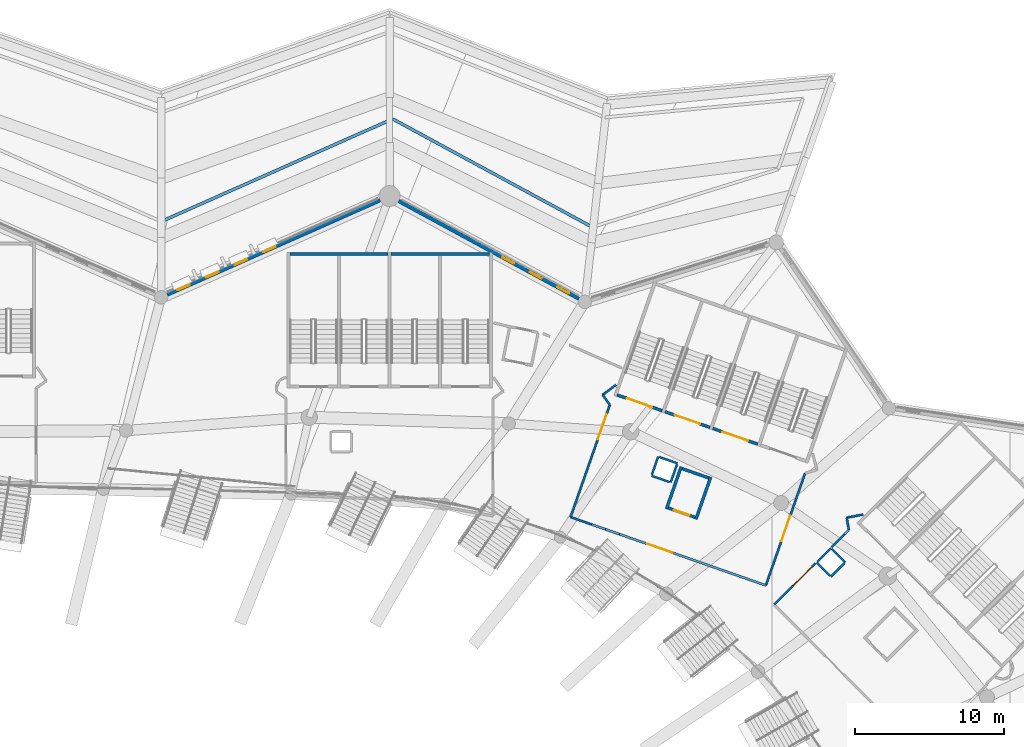
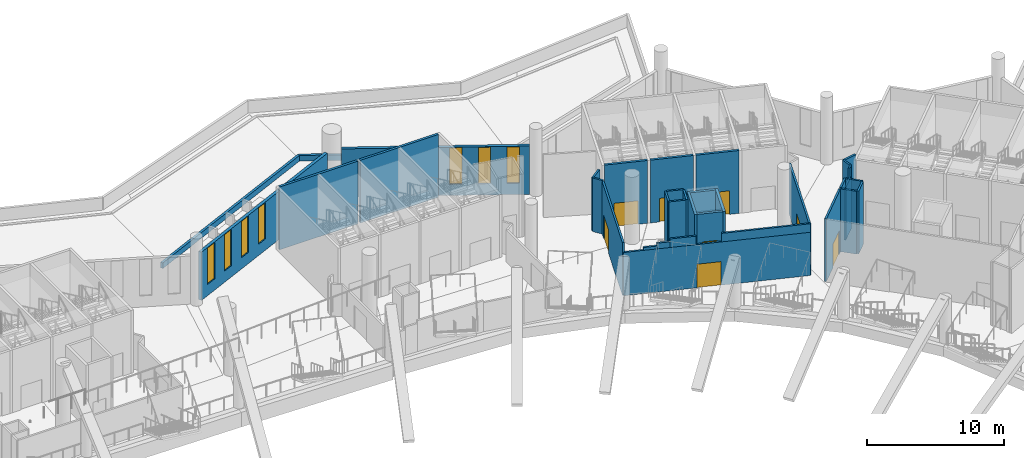
# One storey, part 76 of 173: 35 walls, 8 doors, 7 windows, 15 openings.
"""IFC4 building model written with IfcOpenShell, lengths in metres."""

from ifc_helpers import new_model, si_unit, direction, frame, frame_2d, origin, place, context, subcontext, project, spatial, rectangle, extrude, material, layer, layer_set, type_object, element, fill, save


model = new_model("IFC4")

# Units and contexts
model_context = context("Model", 3, precision=1e-05, world=origin(), true_north=direction((0.0, 1.0)))
body_context = subcontext(model_context, "Body", "Model", "MODEL_VIEW")
ifc_project = project(units=[si_unit("LENGTHUNIT", "METRE"), si_unit("AREAUNIT", "SQUARE_METRE"), si_unit("VOLUMEUNIT", "CUBIC_METRE"), si_unit("PLANEANGLEUNIT", "RADIAN"), si_unit("MASSUNIT", "GRAM", prefix="KILO")], contexts=[model_context])

# Site, building, storey
site_placement = place(None, origin())
site = spatial("IfcSite", under=ifc_project, at=site_placement, CompositionType="ELEMENT")
building_placement = place(site_placement, origin())
building = spatial("IfcBuilding", under=site, at=building_placement, Name="Meseta Stadium", CompositionType="ELEMENT")
storey_placement = place(building_placement, frame((0.0, 0.0, 18.0)))
storey = spatial("IfcBuildingStorey", under=building, at=storey_placement, Name="L03", CompositionType="ELEMENT", Elevation=18.0)

# Wall, opening, door
ifc_material_1 = material(Name="Concrete C40/50", Category="concrete")
ifc_layer_1 = layer(ifc_material_1, 0.199951171875)
ifc_layer_set_1 = layer_set([ifc_layer_1], Name="Core shaft wall 200")
wall_type_1 = type_object("IfcWallType", Name="Core shaft wall 200", PredefinedType="SHEAR", material=ifc_layer_set_1)
wall_1_placement = place(storey_placement, frame((63.052490234375, 88.741943359375, 0.0), z_axis=(0.0, 0.0, 1.0), x_axis=(-0.943878576031, 0.330292648585, 0.0)))
wall_1 = element("IfcWall", 1, at=wall_1_placement, inside=storey, type_object=wall_type_1, Name="Core 08 L03 stair A2 inner end wall", PredefinedType="SHEAR", context=body_context, shape_type="SweptSolid", body=[
    extrude(rectangle(XDim=3.199951171875, YDim=0.199951171875, at=frame_2d((1.60009765625, 0.0))), origin(), (0.0, 0.0, 1.0), 5.60009765625),
])
opening_1_placement = place(wall_1_placement, frame((0.699951171875, 0.0, 0.0)))
opening_1 = element("IfcOpeningElement", 2, at=opening_1_placement, cuts=wall_1, Name="Opening D1422", PredefinedType="OPENING", context=body_context, shape_type="SweptSolid", body=[
    extrude(rectangle(XDim=1.800048828125, YDim=2.10009765625, at=frame_2d((0.89990234375, 1.050048828125))), frame((0.0, 0.10986328125, 0.0), z_axis=(0.0, -1.0, 0.0), x_axis=(1.0, 0.0, 0.0)), (0.0, 0.0, 1.0), 0.219970703125),
])
ifc_material_2 = material(Name="Steel", Category="steel")
door_type_1 = type_object("IfcDoorType", Name="Stair door 1800x2100", OperationType="DOUBLE_DOOR_SINGLE_SWING", PredefinedType="DOOR", material=ifc_material_2)
door_1_placement = place(opening_1_placement, origin())
door_1 = element("IfcDoor", 3, at=door_1_placement, inside=storey, type_object=door_type_1, Name="Stair A2 door 08 L03", OperationType="DOUBLE_DOOR_SINGLE_SWING", OverallHeight=2.10009765625, OverallWidth=1.800048828125, PredefinedType="DOOR", context=body_context, shape_type="SweptSolid", body=[
    extrude(rectangle(XDim=1.800048828125, YDim=2.10009765625, at=frame_2d((0.89990234375, 1.050048828125))), frame((0.0, 0.02490234375, 0.0), z_axis=(0.0, -1.0, 0.0), x_axis=(1.0, 0.0, 0.0)), (0.0, 0.0, 1.0), 0.050048828125),
])
fill(opening_1, door_1)

wall_2_placement = place(storey_placement, frame((59.843505859375, 89.864990234375, 0.0), z_axis=(0.0, 0.0, 1.0), x_axis=(-0.943886898693, 0.330268863922, 0.0)))
wall_2 = element("IfcWall", 4, at=wall_2_placement, inside=storey, type_object=wall_type_1, Name="Core 08 L03 stair B1 inner end wall", PredefinedType="SHEAR", context=body_context, shape_type="SweptSolid", body=[
    extrude(rectangle(XDim=3.2001953125, YDim=0.199951171875, at=frame_2d((1.60009765625, 0.0))), origin(), (0.0, 0.0, 1.0), 5.60009765625),
])
opening_2_placement = place(wall_2_placement, frame((0.699951171875, 0.0, 0.0)))
opening_2 = element("IfcOpeningElement", 5, at=opening_2_placement, cuts=wall_2, Name="Opening D1420", PredefinedType="OPENING", context=body_context, shape_type="SweptSolid", body=[
    extrude(rectangle(XDim=1.800048828125, YDim=2.10009765625, at=frame_2d((0.89990234375, 1.050048828125))), frame((0.0, 0.10986328125, 0.0), z_axis=(0.0, -1.0, 0.0), x_axis=(1.0, 0.0, 0.0)), (0.0, 0.0, 1.0), 0.219970703125),
])
door_2_placement = place(opening_2_placement, origin())
door_2 = element("IfcDoor", 6, at=door_2_placement, inside=storey, type_object=door_type_1, Name="Stair B1 door 08 L03", OperationType="DOUBLE_DOOR_SINGLE_SWING", OverallHeight=2.10009765625, OverallWidth=1.800048828125, PredefinedType="DOOR", context=body_context, shape_type="SweptSolid", body=[
    extrude(rectangle(XDim=1.800048828125, YDim=2.10009765625, at=frame_2d((0.89990234375, 1.050048828125))), frame((0.0, 0.02490234375, 0.0), z_axis=(0.0, -1.0, 0.0), x_axis=(1.0, 0.0, 0.0)), (0.0, 0.0, 1.0), 0.050048828125),
])
fill(opening_2, door_2)

wall_3_placement = place(storey_placement, frame((56.63427734375, 90.98779296875, 0.0), z_axis=(0.0, 0.0, 1.0), x_axis=(-0.943886898693, 0.330268863922, 0.0)))
wall_3 = element("IfcWall", 7, at=wall_3_placement, inside=storey, type_object=wall_type_1, Name="Core 08 L03 stair B2 inner end wall", PredefinedType="SHEAR", context=body_context, shape_type="SweptSolid", body=[
    extrude(rectangle(XDim=3.2001953125, YDim=0.199951171875, at=frame_2d((1.60009765625, 0.0))), origin(), (0.0, 0.0, 1.0), 5.60009765625),
])
opening_3_placement = place(wall_3_placement, frame((0.699951171875, 0.0, 0.0)))
opening_3 = element("IfcOpeningElement", 8, at=opening_3_placement, cuts=wall_3, Name="Opening D1416", PredefinedType="OPENING", context=body_context, shape_type="SweptSolid", body=[
    extrude(rectangle(XDim=1.800048828125, YDim=2.10009765625, at=frame_2d((0.89990234375, 1.050048828125))), frame((0.0, 0.10986328125, 0.0), z_axis=(0.0, -1.0, 0.0), x_axis=(1.0, 0.0, 0.0)), (0.0, 0.0, 1.0), 0.219970703125),
])
door_3_placement = place(opening_3_placement, origin())
door_3 = element("IfcDoor", 9, at=door_3_placement, inside=storey, type_object=door_type_1, Name="Stair B2 door 08 L03", OperationType="DOUBLE_DOOR_SINGLE_SWING", OverallHeight=2.10009765625, OverallWidth=1.800048828125, PredefinedType="DOOR", context=body_context, shape_type="SweptSolid", body=[
    extrude(rectangle(XDim=1.800048828125, YDim=2.10009765625, at=frame_2d((0.89990234375, 1.050048828125))), frame((0.0, 0.02490234375, 0.0), z_axis=(0.0, -1.0, 0.0), x_axis=(1.0, 0.0, 0.0)), (0.0, 0.0, 1.0), 0.050048828125),
])
fill(opening_3, door_3)

# Walls
for number, where, z_axis, x_axis, name in (
    (10, (59.896240234375, 86.53369140625, 0.0), (0.0, 0.0, 1.0), (-0.330328674497, -0.943865968666, 0.0), "Core 08 L03 lift shaft wall left"),
    (11, (57.9140625, 87.227294921875, 0.0), (0.0, 0.0, 1.0), (-0.330328674497, -0.943865968666, 0.0), "Core 08 L03 lift shaft wall right"),
):
    element("IfcWall", number, at=place(storey_placement, frame(where, z_axis=z_axis, x_axis=x_axis)), inside=storey, type_object=wall_type_1, Name=name, PredefinedType="SHEAR", context=body_context, shape_type="SweptSolid", body=[
        extrude(rectangle(XDim=3.0, YDim=0.199951171875, at=frame_2d((1.5, 0.0))), origin(), (0.0, 0.0, 1.0), 4.60009765625),
    ])
wall_4_placement = place(storey_placement, frame((59.768798828125, 86.472412109375, 0.0), z_axis=(0.0, 0.0, 1.0), x_axis=(-0.943862362559, 0.330338978239, 0.0)))
element("IfcWall", 12, at=wall_4_placement, inside=storey, type_object=wall_type_1, Name="Core 08 L03 lift shaft back wall", PredefinedType="SHEAR", context=body_context, shape_type="SweptSolid", body=[
    extrude(rectangle(XDim=1.900146484375, YDim=0.199951171875, at=frame_2d((0.9501953125, 0.0))), origin(), (0.0, 0.0, 1.0), 4.60009765625),
])

# Wall, opening, door
wall_5_placement = place(storey_placement, frame((58.843994140625, 83.82958984375, 0.0), z_axis=(0.0, 0.0, 1.0), x_axis=(-0.943902418729, 0.330224505327, 0.0)))
wall_5 = element("IfcWall", 13, at=wall_5_placement, inside=storey, type_object=wall_type_1, Name="Core 08 L03 lift shaft front wall", PredefinedType="SHEAR", context=body_context, shape_type="SweptSolid", body=[
    extrude(rectangle(XDim=1.900146484375, YDim=0.199951171875, at=frame_2d((0.9501953125, 0.0))), origin(), (0.0, 0.0, 1.0), 4.60009765625),
])
opening_4_placement = place(wall_5_placement, frame((0.39990234375, 0.0, 0.0)))
opening_4 = element("IfcOpeningElement", 14, at=opening_4_placement, cuts=wall_5, Name="Opening LD46", PredefinedType="OPENING", context=body_context, shape_type="SweptSolid", body=[
    extrude(rectangle(XDim=1.10009765625, YDim=2.10009765625, at=frame_2d((0.550048828125, 1.050048828125))), frame((0.0, 0.10986328125, 0.0), z_axis=(0.0, -1.0, 0.0), x_axis=(1.0, 0.0, 0.0)), (0.0, 0.0, 1.0), 0.219970703125),
])
ifc_material_3 = material(Name="Steel", Category="steel")
door_type_2 = type_object("IfcDoorType", Name="Lift landing door 1100x2100", OperationType="SLIDING_TO_LEFT", PredefinedType="DOOR", material=ifc_material_3)
door_4_placement = place(opening_4_placement, origin())
door_4 = element("IfcDoor", 15, at=door_4_placement, inside=storey, type_object=door_type_2, Name="Lift landing door LD46", OperationType="SLIDING_TO_RIGHT", OverallHeight=2.10009765625, OverallWidth=1.10009765625, PredefinedType="DOOR", context=body_context, shape_type="SweptSolid", body=[
    extrude(rectangle(XDim=1.10009765625, YDim=2.10009765625, at=frame_2d((0.550048828125, 1.050048828125))), frame((0.0, 0.02490234375, 0.0), z_axis=(0.0, -1.0, 0.0), x_axis=(1.0, 0.0, 0.0)), (0.0, 0.0, 1.0), 0.050048828125),
])
fill(opening_4, door_4)

# Walls
wall_6_placement = place(storey_placement, frame((45.033203125, 101.5, 0.0), z_axis=(0.0, 0.0, 1.0), x_axis=(-1.0, 0.0, 0.0)))
element("IfcWall", 16, at=wall_6_placement, inside=storey, type_object=wall_type_1, Name="Core 09 L03 stair A outer end wall", PredefinedType="SHEAR", context=body_context, shape_type="SweptSolid", body=[
    extrude(rectangle(XDim=6.599853515625, YDim=0.199951171875, at=frame_2d((3.2998046875, 0.0))), origin(), (0.0, 0.0, 1.0), 5.60009765625),
])
wall_7_placement = place(storey_placement, frame((38.2333984375, 101.5, 0.0), z_axis=(0.0, 0.0, 1.0), x_axis=(-1.0, 0.0, 0.0)))
element("IfcWall", 17, at=wall_7_placement, inside=storey, type_object=wall_type_1, Name="Core 09 L03 stair B outer end wall", PredefinedType="SHEAR", context=body_context, shape_type="SweptSolid", body=[
    extrude(rectangle(XDim=6.60009765625, YDim=0.199951171875, at=frame_2d((3.300048828125, 0.0))), origin(), (0.0, 0.0, 1.0), 5.60009765625),
])
ifc_material_4 = material(Name="Masonry blockwork", Category="masonry")
ifc_layer_2 = layer(ifc_material_4, 0.14990234375)
ifc_layer_set_2 = layer_set([ifc_layer_2], Name="Partition 150")
wall_type_2 = type_object("IfcWallType", Name="Partition 150", PredefinedType="PARTITIONING", material=ifc_layer_set_2)
for number, where, z_axis, x_axis, name in (
    (18, (68.917724609375, 80.802001953125, 0.0), (0.0, 0.0, 1.0), (-0.707106781187, 0.707106781187, 0.0), "Pressurisation shaft wall L03 core 07"),
    (19, (67.963134765625, 81.756591796875, 0.0), (0.0, 0.0, 1.0), (-0.707106781187, -0.707106781187, 0.0), "Pressurisation shaft wall L03 core 07"),
    (20, (67.008544921875, 80.802001953125, 0.0), (0.0, 0.0, 1.0), (0.707106781187, -0.707106781187, 0.0), "Pressurisation shaft wall L03 core 07"),
):
    element("IfcWall", number, at=place(storey_placement, frame(where, z_axis=z_axis, x_axis=x_axis)), inside=storey, type_object=wall_type_2, Name=name, PredefinedType="PARTITIONING", context=body_context, shape_type="SweptSolid", body=[
        extrude(rectangle(XDim=1.275146484375, YDim=0.14990234375, at=frame_2d((0.6376953125, 0.0))), origin(), (0.0, 0.0, 1.0), 5.60009765625),
    ])
wall_8_placement = place(storey_placement, frame((67.963134765625, 79.847412109375, 0.0), z_axis=(0.0, 0.0, 1.0), x_axis=(0.707202523759, 0.707011025648, 0.0)))
element("IfcWall", 21, at=wall_8_placement, inside=storey, type_object=wall_type_2, Name="Pressurisation shaft wall L03 core 07", PredefinedType="PARTITIONING", context=body_context, shape_type="SweptSolid", body=[
    extrude(rectangle(XDim=1.27490234375, YDim=0.14990234375, at=frame_2d((0.637451171875, 0.0))), origin(), (0.0, 0.0, 1.0), 5.60009765625),
])

# Wall, opening, door
wall_9_placement = place(storey_placement, frame((66.934326171875, 80.756103515625, 0.0), z_axis=(0.0, 0.0, 1.0), x_axis=(-0.707075757526, -0.707137803486, 0.0)))
wall_9 = element("IfcWall", 22, at=wall_9_placement, inside=storey, type_object=wall_type_2, Name="Stair vestibule wall L03 core 07", PredefinedType="PARTITIONING", context=body_context, shape_type="SweptSolid", body=[
    extrude(rectangle(XDim=3.934814453125, YDim=0.14990234375, at=frame_2d((1.96728515625, 0.0))), origin(), (0.0, 0.0, 1.0), 5.60009765625),
])
opening_5_placement = place(wall_9_placement, frame((0.35009765625, 0.0, 0.0)))
opening_5 = element("IfcOpeningElement", 23, at=opening_5_placement, cuts=wall_9, Name="Opening D1427", PredefinedType="OPENING", context=body_context, shape_type="SweptSolid", body=[
    extrude(rectangle(XDim=1.800048828125, YDim=2.10009765625, at=frame_2d((0.89990234375, 1.050048828125))), frame((0.0, 0.0849609375, 0.0), z_axis=(0.0, -1.0, 0.0), x_axis=(1.0, 0.0, 0.0)), (0.0, 0.0, 1.0), 0.169921875),
])
ifc_material_5 = material(Name="Steel", Category="steel")
door_type_3 = type_object("IfcDoorType", Name="Fire double door 1800x2100 EI2 60", OperationType="DOUBLE_DOOR_SINGLE_SWING", PredefinedType="DOOR", material=ifc_material_5)
door_5_placement = place(opening_5_placement, origin())
door_5 = element("IfcDoor", 24, at=door_5_placement, inside=storey, type_object=door_type_3, Name="Stair vestibule door L03 core 07", OperationType="DOUBLE_DOOR_SINGLE_SWING", OverallHeight=2.10009765625, OverallWidth=1.800048828125, PredefinedType="DOOR", context=body_context, shape_type="SweptSolid", body=[
    extrude(rectangle(XDim=1.800048828125, YDim=2.10009765625, at=frame_2d((0.89990234375, 1.050048828125))), frame((0.0, 0.02490234375, 0.0), z_axis=(0.0, -1.0, 0.0), x_axis=(1.0, 0.0, 0.0)), (0.0, 0.0, 1.0), 0.050048828125),
])
fill(opening_5, door_5)

# Walls
wall_10_placement = place(storey_placement, frame((70.133544921875, 84.018310546875, 0.0), z_axis=(0.0, 0.0, 1.0), x_axis=(-0.982266484486, -0.187490142289, 0.0)))
element("IfcWall", 25, at=wall_10_placement, inside=storey, type_object=wall_type_2, Name="Stair vestibule wall L03 core 07", PredefinedType="PARTITIONING", context=body_context, shape_type="SweptSolid", body=[
    extrude(rectangle(XDim=1.127685546875, YDim=0.14990234375, at=frame_2d((0.56396484375, 0.0))), origin(), (0.0, 0.0, 1.0), 5.60009765625),
])
wall_11_placement = place(storey_placement, frame((69.02587890625, 83.806884765625, 0.0), z_axis=(0.0, 0.0, 1.0), x_axis=(0.171316329805, -0.985216075357, 0.0)))
element("IfcWall", 26, at=wall_11_placement, inside=storey, type_object=wall_type_2, Name="Stair vestibule wall L03 core 07", PredefinedType="PARTITIONING", context=body_context, shape_type="SweptSolid", body=[
    extrude(rectangle(XDim=0.829345703125, YDim=0.14990234375, at=frame_2d((0.41455078125, 0.0))), origin(), (0.0, 0.0, 1.0), 5.60009765625),
])
wall_12_placement = place(storey_placement, frame((69.16796875, 82.98974609375, 0.0), z_axis=(0.0, 0.0, 1.0), x_axis=(-0.707106781187, -0.707106781187, 0.0)))
element("IfcWall", 27, at=wall_12_placement, inside=storey, type_object=wall_type_2, Name="Stair vestibule wall L03 core 07", PredefinedType="PARTITIONING", context=body_context, shape_type="SweptSolid", body=[
    extrude(rectangle(XDim=1.64306640625, YDim=0.14990234375, at=frame_2d((0.821533203125, 0.0))), origin(), (0.0, 0.0, 1.0), 4.699951171875),
])
wall_13_placement = place(storey_placement, frame((69.16796875, 82.98974609375, 4.699951171875), z_axis=(0.0, 0.0, 1.0), x_axis=(-0.706809490168, -0.707403947267, 0.0)))
element("IfcWall", 28, at=wall_13_placement, inside=storey, type_object=wall_type_2, Name="Stair vestibule wall L03 core 07", PredefinedType="PARTITIONING", context=body_context, shape_type="SweptSolid", body=[
    extrude(rectangle(XDim=0.41064453125, YDim=0.14990234375, at=frame_2d((0.205322265625, 0.0))), origin(), (0.0, 0.0, 1.0), 0.900146484375),
])
for number, where, z_axis, x_axis, name in (
    (29, (57.6484375, 87.45263671875, 0.0), (0.0, 0.0, 1.0), (-0.943867312246, 0.330324835387, 0.0), "Pressurisation shaft wall L03 core 08"),
    (30, (56.374267578125, 87.898681640625, 0.0), (0.0, 0.0, 1.0), (-0.330324835387, -0.943867312246, 0.0), "Pressurisation shaft wall L03 core 08"),
    (31, (55.928466796875, 86.62451171875, 0.0), (0.0, 0.0, 1.0), (0.943867312246, -0.330324835387, 0.0), "Pressurisation shaft wall L03 core 08"),
):
    element("IfcWall", number, at=place(storey_placement, frame(where, z_axis=z_axis, x_axis=x_axis)), inside=storey, type_object=wall_type_2, Name=name, PredefinedType="PARTITIONING", context=body_context, shape_type="SweptSolid", body=[
        extrude(rectangle(XDim=1.27490234375, YDim=0.14990234375, at=frame_2d((0.637451171875, 0.0))), origin(), (0.0, 0.0, 1.0), 4.774169921875),
    ])
wall_14_placement = place(storey_placement, frame((57.20263671875, 86.178466796875, 0.0), z_axis=(0.0, 0.0, 1.0), x_axis=(0.330265141396, 0.943888201207, 0.0)))
element("IfcWall", 32, at=wall_14_placement, inside=storey, type_object=wall_type_2, Name="Pressurisation shaft wall L03 core 08", PredefinedType="PARTITIONING", context=body_context, shape_type="SweptSolid", body=[
    extrude(rectangle(XDim=1.275146484375, YDim=0.14990234375, at=frame_2d((0.6376953125, 0.0))), origin(), (0.0, 0.0, 1.0), 4.774169921875),
])
wall_15_placement = place(storey_placement, frame((53.544921875, 92.725341796875, 0.0), z_axis=(0.0, 0.0, 1.0), x_axis=(-0.803518845317, -0.595279316977, 0.0)))
element("IfcWall", 33, at=wall_15_placement, inside=storey, type_object=wall_type_2, Name="Stair vestibule wall L03 core 08", PredefinedType="PARTITIONING", context=body_context, shape_type="SweptSolid", body=[
    extrude(rectangle(XDim=1.1279296875, YDim=0.14990234375, at=frame_2d((0.56396484375, 0.0))), origin(), (0.0, 0.0, 1.0), 4.774169921875),
])
wall_16_placement = place(storey_placement, frame((52.638671875, 92.053955078125, 0.0), z_axis=(0.0, 0.0, 1.0), x_axis=(0.58190622455, -0.813255891974, 0.0)))
element("IfcWall", 34, at=wall_16_placement, inside=storey, type_object=wall_type_2, Name="Stair vestibule wall L03 core 08", PredefinedType="PARTITIONING", context=body_context, shape_type="SweptSolid", body=[
    extrude(rectangle(XDim=0.829345703125, YDim=0.14990234375, at=frame_2d((0.41455078125, 0.0))), origin(), (0.0, 0.0, 1.0), 4.774169921875),
])

# Wall, opening, door
wall_17_placement = place(storey_placement, frame((53.121337890625, 91.37939453125, 0.0), z_axis=(0.0, 0.0, 1.0), x_axis=(-0.330279569596, -0.943883152677, 0.0)))
wall_17 = element("IfcWall", 35, at=wall_17_placement, inside=storey, type_object=wall_type_2, Name="Stair vestibule wall L03 core 08", PredefinedType="PARTITIONING", context=body_context, shape_type="SweptSolid", body=[
    extrude(rectangle(XDim=7.98095703125, YDim=0.14990234375, at=frame_2d((3.990478515625, 0.0))), origin(), (0.0, 0.0, 1.0), 4.699951171875),
])
opening_6_placement = place(wall_17_placement, frame((0.64990234375, 0.0, 0.0)))
opening_6 = element("IfcOpeningElement", 36, at=opening_6_placement, cuts=wall_17, Name="Opening D1415", PredefinedType="OPENING", context=body_context, shape_type="SweptSolid", body=[
    extrude(rectangle(XDim=1.800048828125, YDim=2.10009765625, at=frame_2d((0.89990234375, 1.050048828125))), frame((0.0, 0.0849609375, 0.0), z_axis=(0.0, -1.0, 0.0), x_axis=(1.0, 0.0, 0.0)), (0.0, 0.0, 1.0), 0.169921875),
])
door_6_placement = place(opening_6_placement, origin())
door_6 = element("IfcDoor", 37, at=door_6_placement, inside=storey, type_object=door_type_3, Name="Stair vestibule door L03 core 08", OperationType="DOUBLE_DOOR_SINGLE_SWING", OverallHeight=2.10009765625, OverallWidth=1.800048828125, PredefinedType="DOOR", context=body_context, shape_type="SweptSolid", body=[
    extrude(rectangle(XDim=1.800048828125, YDim=2.10009765625, at=frame_2d((0.89990234375, 1.050048828125))), frame((0.0, 0.02490234375, 0.0), z_axis=(0.0, -1.0, 0.0), x_axis=(1.0, 0.0, 0.0)), (0.0, 0.0, 1.0), 0.050048828125),
])
fill(opening_6, door_6)

wall_18_placement = place(storey_placement, frame((50.4853515625, 83.84619140625, 0.0), z_axis=(0.0, 0.0, 1.0), x_axis=(0.943882193915, -0.330282309563, 0.0)))
wall_18 = element("IfcWall", 38, at=wall_18_placement, inside=storey, type_object=wall_type_2, Name="Stair vestibule wall L03 core 08", PredefinedType="PARTITIONING", context=body_context, shape_type="SweptSolid", body=[
    extrude(rectangle(XDim=13.89013671875, YDim=0.14990234375, at=frame_2d((6.945068359375, 0.0))), origin(), (0.0, 0.0, 1.0), 3.8544921875),
])
opening_7_placement = place(wall_18_placement, frame((5.449951171875, 0.0, 0.0)))
opening_7 = element("IfcOpeningElement", 39, at=opening_7_placement, cuts=wall_18, Name="Opening D1418", PredefinedType="OPENING", context=body_context, shape_type="SweptSolid", body=[
    extrude(rectangle(XDim=1.800048828125, YDim=2.10009765625, at=frame_2d((0.89990234375, 1.050048828125))), frame((0.0, 0.0849609375, 0.0), z_axis=(0.0, -1.0, 0.0), x_axis=(1.0, 0.0, 0.0)), (0.0, 0.0, 1.0), 0.169921875),
])
door_7_placement = place(opening_7_placement, origin())
door_7 = element("IfcDoor", 40, at=door_7_placement, inside=storey, type_object=door_type_3, Name="Stair vestibule door L03 core 08", OperationType="DOUBLE_DOOR_SINGLE_SWING", OverallHeight=2.10009765625, OverallWidth=1.800048828125, PredefinedType="DOOR", context=body_context, shape_type="SweptSolid", body=[
    extrude(rectangle(XDim=1.800048828125, YDim=2.10009765625, at=frame_2d((0.89990234375, 1.050048828125))), frame((0.0, 0.02490234375, 0.0), z_axis=(0.0, -1.0, 0.0), x_axis=(1.0, 0.0, 0.0)), (0.0, 0.0, 1.0), 0.050048828125),
])
fill(opening_7, door_7)

# Walls
wall_19_placement = place(storey_placement, frame((51.89013671875, 83.354736328125, 3.8544921875), z_axis=(0.0, 0.0, 1.0), x_axis=(0.943904381587, -0.330218894705, 0.0)))
element("IfcWall", 41, at=wall_19_placement, inside=storey, type_object=wall_type_2, Name="Stair vestibule wall L03 core 08", PredefinedType="PARTITIONING", context=body_context, shape_type="SweptSolid", body=[
    extrude(rectangle(XDim=0.9921875, YDim=0.14990234375, at=frame_2d((0.49609375, 0.0))), origin(), (0.0, 0.0, 1.0), 0.25244140625),
])
wall_20_placement = place(storey_placement, frame((52.82666015625, 83.027099609375, 3.8544921875), z_axis=(0.0, 0.0, 1.0), x_axis=(0.943827665198, -0.33043810072, 0.0)))
element("IfcWall", 42, at=wall_20_placement, inside=storey, type_object=wall_type_2, Name="Stair vestibule wall L03 core 08", PredefinedType="PARTITIONING", context=body_context, shape_type="SweptSolid", body=[
    extrude(rectangle(XDim=0.9921875, YDim=0.14990234375, at=frame_2d((0.49609375, 0.0))), origin(), (0.0, 0.0, 1.0), 0.505126953125),
])
wall_21_placement = place(storey_placement, frame((53.76318359375, 82.69921875, 3.8544921875), z_axis=(0.0, 0.0, 1.0), x_axis=(0.943905740146, -0.330215011347, 0.0)))
element("IfcWall", 43, at=wall_21_placement, inside=storey, type_object=wall_type_2, Name="Stair vestibule wall L03 core 08", PredefinedType="PARTITIONING", context=body_context, shape_type="SweptSolid", body=[
    extrude(rectangle(XDim=1.927490234375, YDim=0.14990234375, at=frame_2d((0.9638671875, 0.0))), origin(), (0.0, 0.0, 1.0), 0.757568359375),
])

# Wall, opening, door
wall_22_placement = place(storey_placement, frame((63.595947265625, 79.258544921875, 0.0), z_axis=(0.0, 0.0, 1.0), x_axis=(0.330252316135, 0.94389268865, 0.0)))
wall_22 = element("IfcWall", 44, at=wall_22_placement, inside=storey, type_object=wall_type_2, Name="Stair vestibule wall L03 core 08", PredefinedType="PARTITIONING", context=body_context, shape_type="SweptSolid", body=[
    extrude(rectangle(XDim=7.98095703125, YDim=0.14990234375, at=frame_2d((3.990478515625, 0.0))), origin(), (0.0, 0.0, 1.0), 4.5),
])
opening_8_placement = place(wall_22_placement, frame((3.14990234375, 0.0, 0.0)))
opening_8 = element("IfcOpeningElement", 45, at=opening_8_placement, cuts=wall_22, Name="Opening D1426", PredefinedType="OPENING", context=body_context, shape_type="SweptSolid", body=[
    extrude(rectangle(XDim=1.800048828125, YDim=2.10009765625, at=frame_2d((0.89990234375, 1.050048828125))), frame((0.0, 0.0849609375, 0.0), z_axis=(0.0, -1.0, 0.0), x_axis=(1.0, 0.0, 0.0)), (0.0, 0.0, 1.0), 0.169921875),
])
door_8_placement = place(opening_8_placement, origin())
door_8 = element("IfcDoor", 46, at=door_8_placement, inside=storey, type_object=door_type_3, Name="Stair vestibule door L03 core 08", OperationType="DOUBLE_DOOR_SINGLE_SWING", OverallHeight=2.10009765625, OverallWidth=1.800048828125, PredefinedType="DOOR", context=body_context, shape_type="SweptSolid", body=[
    extrude(rectangle(XDim=1.800048828125, YDim=2.10009765625, at=frame_2d((0.89990234375, 1.050048828125))), frame((0.0, 0.02490234375, 0.0), z_axis=(0.0, -1.0, 0.0), x_axis=(1.0, 0.0, 0.0)), (0.0, 0.0, 1.0), 0.050048828125),
])
fill(opening_8, door_8)

# Walls
wall_23_placement = place(storey_placement, frame((57.375732421875, 81.435302734375, 3.8544921875), z_axis=(0.0, 0.0, 1.0), x_axis=(0.943873372054, -0.330307519634, 0.0)))
element("IfcWall", 47, at=wall_23_placement, inside=storey, type_object=wall_type_2, Name="Stair vestibule wall L03 core 08", PredefinedType="PARTITIONING", context=body_context, shape_type="SweptSolid", body=[
    extrude(rectangle(XDim=6.590087890625, YDim=0.14990234375, at=frame_2d((3.294921875, 0.0))), origin(), (0.0, 0.0, 1.0), 0.757568359375),
])
ifc_material_6 = material(Name="Precast concrete C40/50", Category="concrete")
ifc_layer_3 = layer(ifc_material_6, 0.199951171875)
ifc_layer_set_3 = layer_set([ifc_layer_3], Name="Planter kerb 200")
wall_type_3 = type_object("IfcWallType", Name="Planter kerb 200", PredefinedType="USERDEFINED", material=ifc_layer_set_3)
wall_24_placement = place(storey_placement, frame((51.93359375, 103.31689453125, 0.0), z_axis=(0.0, 0.0, 1.0), x_axis=(-0.879141213547, 0.476561356641, 0.0)))
element("IfcWall", 48, at=wall_24_placement, inside=storey, type_object=wall_type_3, Name="Planter kerb 2.1.4", ObjectType="PLANTER", PredefinedType="USERDEFINED", context=body_context, shape_type="SweptSolid", body=[
    extrude(rectangle(XDim=15.236083984375, YDim=0.199951171875, at=frame_2d((7.6181640625, 0.0))), origin(), (0.0, 0.0, 1.0), 0.5),
])
wall_25_placement = place(storey_placement, frame((38.538818359375, 110.577880859375, 0.0), z_axis=(0.0, 0.0, 1.0), x_axis=(-0.91413937024, -0.405400063859, 0.0)))
element("IfcWall", 49, at=wall_25_placement, inside=storey, type_object=wall_type_3, Name="Planter kerb 2.1.5", ObjectType="PLANTER", PredefinedType="USERDEFINED", context=body_context, shape_type="SweptSolid", body=[
    extrude(rectangle(XDim=16.998291015625, YDim=0.199951171875, at=frame_2d((8.4990234375, 0.0))), origin(), (0.0, 0.0, 1.0), 0.5),
])

# Wall, openings, windows
ifc_material_7 = material(Name="White precast concrete C40/50", Category="concrete")
ifc_layer_4 = layer(ifc_material_7, 0.25)
ifc_layer_set_4 = layer_set([ifc_layer_4], Name="Pleated panel wall 250")
wall_type_4 = type_object("IfcWallType", Name="Pleated panel wall 250", PredefinedType="SOLIDWALL", material=ifc_layer_set_4)
wall_26_placement = place(storey_placement, frame((38.948486328125, 105.06640625, 0.0), z_axis=(0.0, 0.0, 1.0), x_axis=(0.879144247164, -0.476555760304, 0.0)))
wall_26 = element("IfcWall", 50, at=wall_26_placement, inside=storey, type_object=wall_type_4, Name="Pleated facade panel L03 F15", PredefinedType="SOLIDWALL", context=body_context, shape_type="SweptSolid", body=[
    extrude(rectangle(XDim=13.760498046875, YDim=0.25, at=frame_2d((6.88037109375, 0.0))), origin(), (0.0, 0.0, 1.0), 4.300048828125),
])
opening_9_placement = place(wall_26_placement, frame((12.1103515625, 0.0, 1.0)))
opening_9 = element("IfcOpeningElement", 51, at=opening_9_placement, cuts=wall_26, Name="Opening W134", PredefinedType="OPENING", context=body_context, shape_type="SweptSolid", body=[
    extrude(rectangle(XDim=0.89990234375, YDim=3.25, at=frame_2d((0.449951171875, 1.625))), frame((0.0, 0.135009765625, 0.0), z_axis=(0.0, -1.0, 0.0), x_axis=(1.0, 0.0, 0.0)), (0.0, 0.0, 1.0), 0.27001953125),
])
opening_10_placement = place(wall_26_placement, frame((10.01025390625, 0.0, 1.0)))
opening_10 = element("IfcOpeningElement", 52, at=opening_10_placement, cuts=wall_26, Name="Opening W133", PredefinedType="OPENING", context=body_context, shape_type="SweptSolid", body=[
    extrude(rectangle(XDim=0.89990234375, YDim=3.25, at=frame_2d((0.449951171875, 1.625))), frame((0.0, 0.135009765625, 0.0), z_axis=(0.0, -1.0, 0.0), x_axis=(1.0, 0.0, 0.0)), (0.0, 0.0, 1.0), 0.27001953125),
])
opening_11_placement = place(wall_26_placement, frame((7.910400390625, 0.0, 1.0)))
opening_11 = element("IfcOpeningElement", 53, at=opening_11_placement, cuts=wall_26, Name="Opening W132", PredefinedType="OPENING", context=body_context, shape_type="SweptSolid", body=[
    extrude(rectangle(XDim=0.89990234375, YDim=3.25, at=frame_2d((0.449951171875, 1.625))), frame((0.0, 0.135009765625, 0.0), z_axis=(0.0, -1.0, 0.0), x_axis=(1.0, 0.0, 0.0)), (0.0, 0.0, 1.0), 0.27001953125),
])
ifc_material_8 = material(Name="Aluminium", Category="aluminium")
window_type = type_object("IfcWindowType", Name="Slot window 900x3250", PartitioningType="SINGLE_PANEL", PredefinedType="WINDOW", material=ifc_material_8)
window_1_placement = place(opening_9_placement, origin())
window_1 = element("IfcWindow", 54, at=window_1_placement, inside=storey, type_object=window_type, Name="Slot window L03 F15.1", OverallHeight=3.25, OverallWidth=0.89990234375, PartitioningType="SINGLE_PANEL", PredefinedType="WINDOW", context=body_context, shape_type="SweptSolid", body=[
    extrude(rectangle(XDim=0.89990234375, YDim=3.25, at=frame_2d((0.449951171875, 1.625))), frame((0.0, 0.030029296875, 0.0), z_axis=(0.0, -1.0, 0.0), x_axis=(1.0, 0.0, 0.0)), (0.0, 0.0, 1.0), 0.06005859375),
])
fill(opening_9, window_1)
window_2_placement = place(opening_10_placement, origin())
window_2 = element("IfcWindow", 55, at=window_2_placement, inside=storey, type_object=window_type, Name="Slot window L03 F15.2", OverallHeight=3.25, OverallWidth=0.89990234375, PartitioningType="SINGLE_PANEL", PredefinedType="WINDOW", context=body_context, shape_type="SweptSolid", body=[
    extrude(rectangle(XDim=0.89990234375, YDim=3.25, at=frame_2d((0.449951171875, 1.625))), frame((0.0, 0.030029296875, 0.0), z_axis=(0.0, -1.0, 0.0), x_axis=(1.0, 0.0, 0.0)), (0.0, 0.0, 1.0), 0.06005859375),
])
fill(opening_10, window_2)
window_3_placement = place(opening_11_placement, origin())
window_3 = element("IfcWindow", 56, at=window_3_placement, inside=storey, type_object=window_type, Name="Slot window L03 F15.3", OverallHeight=3.25, OverallWidth=0.89990234375, PartitioningType="SINGLE_PANEL", PredefinedType="WINDOW", context=body_context, shape_type="SweptSolid", body=[
    extrude(rectangle(XDim=0.89990234375, YDim=3.25, at=frame_2d((0.449951171875, 1.625))), frame((0.0, 0.030029296875, 0.0), z_axis=(0.0, -1.0, 0.0), x_axis=(1.0, 0.0, 0.0)), (0.0, 0.0, 1.0), 0.06005859375),
])
fill(opening_11, window_3)

wall_27_placement = place(storey_placement, frame((23.410888671875, 98.7822265625, 0.0), z_axis=(0.0, 0.0, 1.0), x_axis=(0.914140506485, 0.405397501722, 0.0)))
wall_27 = element("IfcWall", 57, at=wall_27_placement, inside=storey, type_object=wall_type_4, Name="Pleated facade panel L03 F16", PredefinedType="SOLIDWALL", context=body_context, shape_type="SweptSolid", body=[
    extrude(rectangle(XDim=15.624755859375, YDim=0.25, at=frame_2d((7.8125, 0.0))), origin(), (0.0, 0.0, 1.0), 4.300048828125),
])
opening_12_placement = place(wall_27_placement, frame((0.75048828125, 0.0, 1.0)))
opening_12 = element("IfcOpeningElement", 58, at=opening_12_placement, cuts=wall_27, Name="Opening W121", PredefinedType="OPENING", context=body_context, shape_type="SweptSolid", body=[
    extrude(rectangle(XDim=0.89990234375, YDim=3.25, at=frame_2d((0.449951171875, 1.625))), frame((0.0, 0.135009765625, 0.0), z_axis=(0.0, -1.0, 0.0), x_axis=(1.0, 0.0, 0.0)), (0.0, 0.0, 1.0), 0.27001953125),
])
opening_13_placement = place(wall_27_placement, frame((2.850341796875, 0.0, 1.0)))
opening_13 = element("IfcOpeningElement", 59, at=opening_13_placement, cuts=wall_27, Name="Opening W122", PredefinedType="OPENING", context=body_context, shape_type="SweptSolid", body=[
    extrude(rectangle(XDim=0.89990234375, YDim=3.25, at=frame_2d((0.449951171875, 1.625))), frame((0.0, 0.135009765625, 0.0), z_axis=(0.0, -1.0, 0.0), x_axis=(1.0, 0.0, 0.0)), (0.0, 0.0, 1.0), 0.27001953125),
])
opening_14_placement = place(wall_27_placement, frame((4.950439453125, 0.0, 1.0)))
opening_14 = element("IfcOpeningElement", 60, at=opening_14_placement, cuts=wall_27, Name="Opening W123", PredefinedType="OPENING", context=body_context, shape_type="SweptSolid", body=[
    extrude(rectangle(XDim=0.89990234375, YDim=3.25, at=frame_2d((0.449951171875, 1.625))), frame((0.0, 0.135009765625, 0.0), z_axis=(0.0, -1.0, 0.0), x_axis=(1.0, 0.0, 0.0)), (0.0, 0.0, 1.0), 0.27001953125),
])
opening_15_placement = place(wall_27_placement, frame((7.05029296875, 0.0, 1.0)))
opening_15 = element("IfcOpeningElement", 61, at=opening_15_placement, cuts=wall_27, Name="Opening W124", PredefinedType="OPENING", context=body_context, shape_type="SweptSolid", body=[
    extrude(rectangle(XDim=0.89990234375, YDim=3.25, at=frame_2d((0.449951171875, 1.625))), frame((0.0, 0.135009765625, 0.0), z_axis=(0.0, -1.0, 0.0), x_axis=(1.0, 0.0, 0.0)), (0.0, 0.0, 1.0), 0.27001953125),
])
window_4_placement = place(opening_12_placement, origin())
window_4 = element("IfcWindow", 62, at=window_4_placement, inside=storey, type_object=window_type, Name="Slot window L03 F16.1", OverallHeight=3.25, OverallWidth=0.89990234375, PartitioningType="SINGLE_PANEL", PredefinedType="WINDOW", context=body_context, shape_type="SweptSolid", body=[
    extrude(rectangle(XDim=0.89990234375, YDim=3.25, at=frame_2d((0.449951171875, 1.625))), frame((0.0, 0.030029296875, 0.0), z_axis=(0.0, -1.0, 0.0), x_axis=(1.0, 0.0, 0.0)), (0.0, 0.0, 1.0), 0.06005859375),
])
fill(opening_12, window_4)
window_5_placement = place(opening_13_placement, origin())
window_5 = element("IfcWindow", 63, at=window_5_placement, inside=storey, type_object=window_type, Name="Slot window L03 F16.2", OverallHeight=3.25, OverallWidth=0.89990234375, PartitioningType="SINGLE_PANEL", PredefinedType="WINDOW", context=body_context, shape_type="SweptSolid", body=[
    extrude(rectangle(XDim=0.89990234375, YDim=3.25, at=frame_2d((0.449951171875, 1.625))), frame((0.0, 0.030029296875, 0.0), z_axis=(0.0, -1.0, 0.0), x_axis=(1.0, 0.0, 0.0)), (0.0, 0.0, 1.0), 0.06005859375),
])
fill(opening_13, window_5)
window_6_placement = place(opening_14_placement, origin())
window_6 = element("IfcWindow", 64, at=window_6_placement, inside=storey, type_object=window_type, Name="Slot window L03 F16.3", OverallHeight=3.25, OverallWidth=0.89990234375, PartitioningType="SINGLE_PANEL", PredefinedType="WINDOW", context=body_context, shape_type="SweptSolid", body=[
    extrude(rectangle(XDim=0.89990234375, YDim=3.25, at=frame_2d((0.449951171875, 1.625))), frame((0.0, 0.030029296875, 0.0), z_axis=(0.0, -1.0, 0.0), x_axis=(1.0, 0.0, 0.0)), (0.0, 0.0, 1.0), 0.06005859375),
])
fill(opening_14, window_6)
window_7_placement = place(opening_15_placement, origin())
window_7 = element("IfcWindow", 65, at=window_7_placement, inside=storey, type_object=window_type, Name="Slot window L03 F16.4", OverallHeight=3.25, OverallWidth=0.89990234375, PartitioningType="SINGLE_PANEL", PredefinedType="WINDOW", context=body_context, shape_type="SweptSolid", body=[
    extrude(rectangle(XDim=0.89990234375, YDim=3.25, at=frame_2d((0.449951171875, 1.625))), frame((0.0, 0.030029296875, 0.0), z_axis=(0.0, -1.0, 0.0), x_axis=(1.0, 0.0, 0.0)), (0.0, 0.0, 1.0), 0.06005859375),
])
fill(opening_15, window_7)

save(model, "model.ifc")
